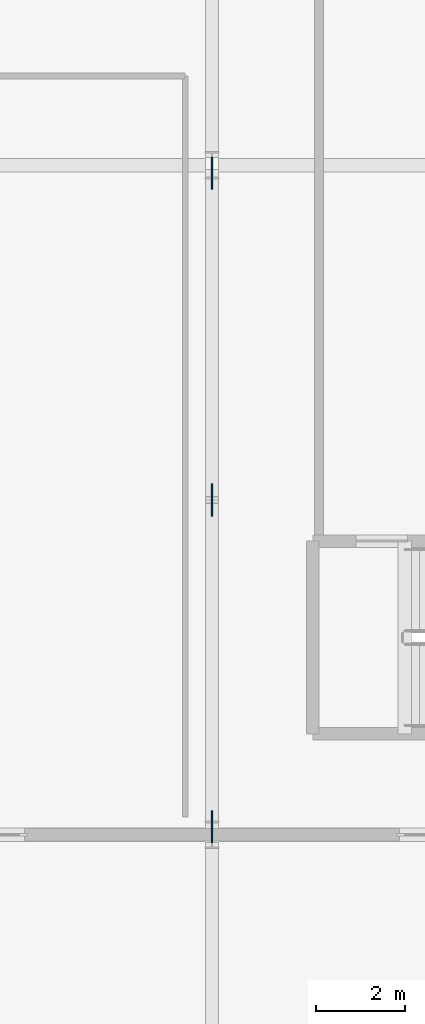
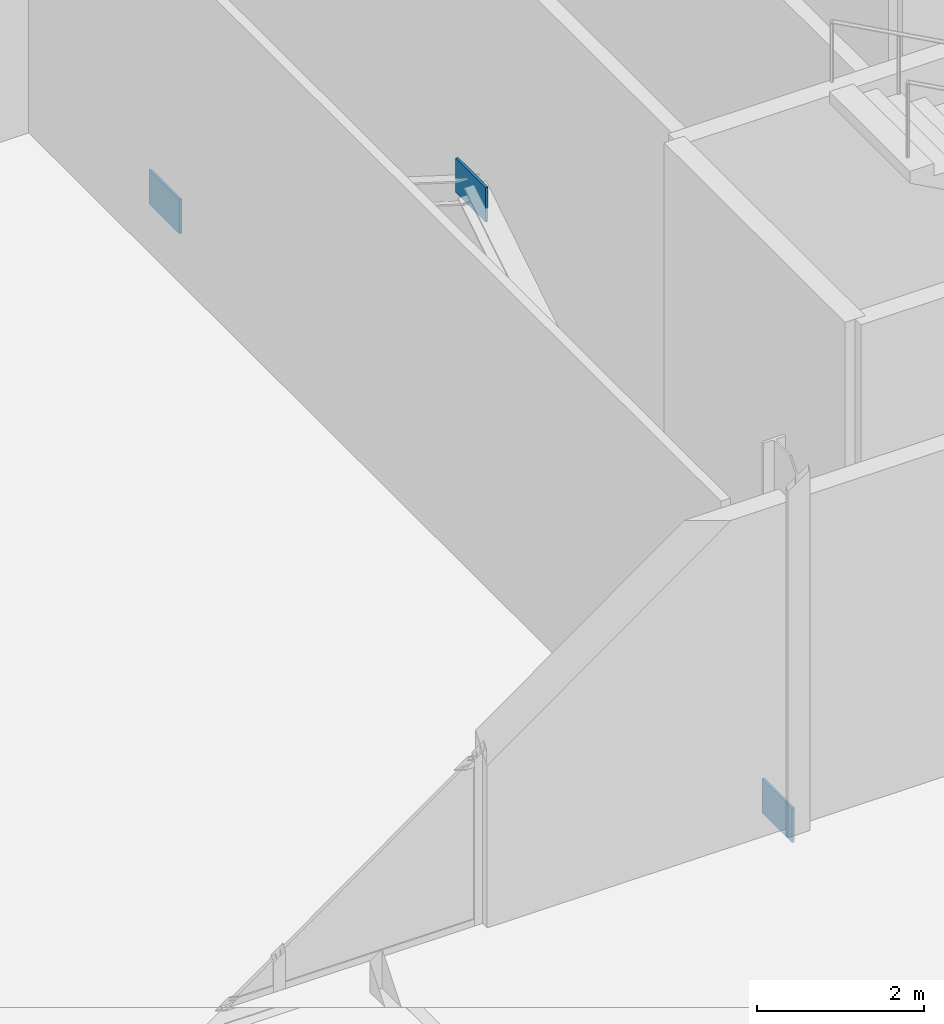
# One storey, part 58 of 87: 3 plates.
"""IFC4 building model written with IfcOpenShell, lengths in metres."""

from ifc_helpers import new_model, si_unit, direction, frame, origin, origin_2d, place, context, subcontext, project, spatial, rectangle, extrude, material, layer, layer_set, type_object, element, save


model = new_model("IFC4")

# Units and contexts
model_context = context("Model", 3, precision=1e-05, world=origin(), true_north=direction((0.0, 1.0)))
body_context = subcontext(model_context, "Body", "Model", "MODEL_VIEW")
ifc_project = project(units=[si_unit("LENGTHUNIT", "METRE"), si_unit("AREAUNIT", "SQUARE_METRE"), si_unit("VOLUMEUNIT", "CUBIC_METRE"), si_unit("PLANEANGLEUNIT", "RADIAN"), si_unit("MASSUNIT", "GRAM", prefix="KILO")], contexts=[model_context])

# Site, building, storey
site_placement = place(None, origin())
site = spatial("IfcSite", under=ifc_project, at=site_placement, CompositionType="ELEMENT")
building_placement = place(site_placement, origin())
building = spatial("IfcBuilding", under=site, at=building_placement, Name="Kimbaza Rail Terminus", CompositionType="ELEMENT")
storey_placement = place(building_placement, origin())
storey = spatial("IfcBuildingStorey", under=building, at=storey_placement, Name="L00", CompositionType="ELEMENT", Elevation=0.0)

# Plates
ifc_material = material(Name="Steel S355", Category="steel")
ifc_layer = layer(ifc_material, 0.034912109375)
ifc_layer_set = layer_set([ifc_layer], Name="Steel S355")
plate_type = type_object("IfcPlateType", Name="STR-PL-WT01", PredefinedType="USERDEFINED", material=ifc_layer_set)
for number, where, z_axis, x_axis, name in (
    (1, (72.0, 103.179931640625, -0.199951171875), (0.0, 0.0, 1.0), (1.0, 0.0, 0.0), "Chevron Brace Gusset Plate GP-01 1-S"),
    (2, (72.0, 110.5, 4.409912109375), (0.0, 0.0, 1.0), (1.0, 0.0, 0.0), "Chevron Brace Gusset Plate GP-01 1-M"),
    (3, (72.0, 117.820068359375, -0.199951171875), (0.0, 0.0, 1.0), (1.0, 0.0, 0.0), "Chevron Brace Gusset Plate GP-01 1-N"),
):
    element("IfcPlate", number, at=place(storey_placement, frame(where, z_axis=z_axis, x_axis=x_axis)), inside=storey, type_object=plate_type, Name=name, ObjectType="GUSSET PLATE", PredefinedType="USERDEFINED", context=body_context, shape_type="SweptSolid", body=[
        extrude(rectangle(XDim=0.034912109375, YDim=0.719970703125, at=origin_2d()), origin(), (0.0, 0.0, 1.0), 0.5),
    ])

save(model, "model.ifc")
